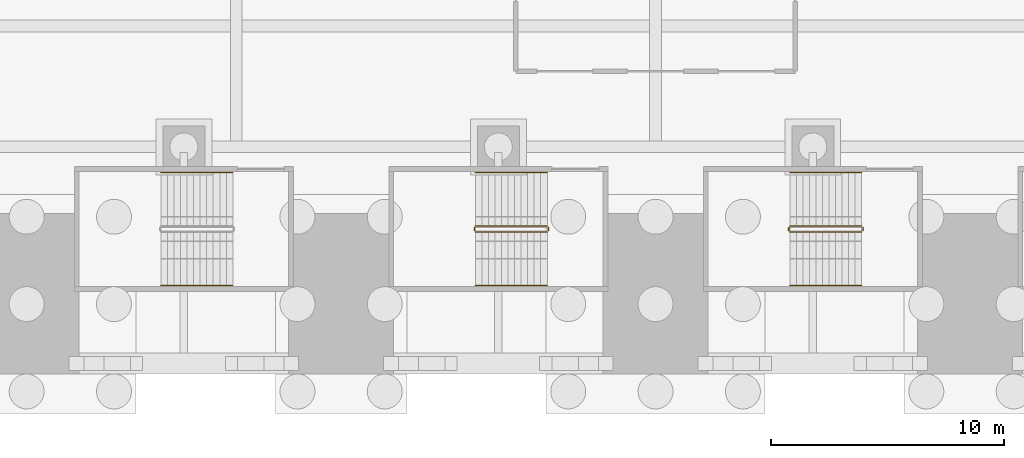
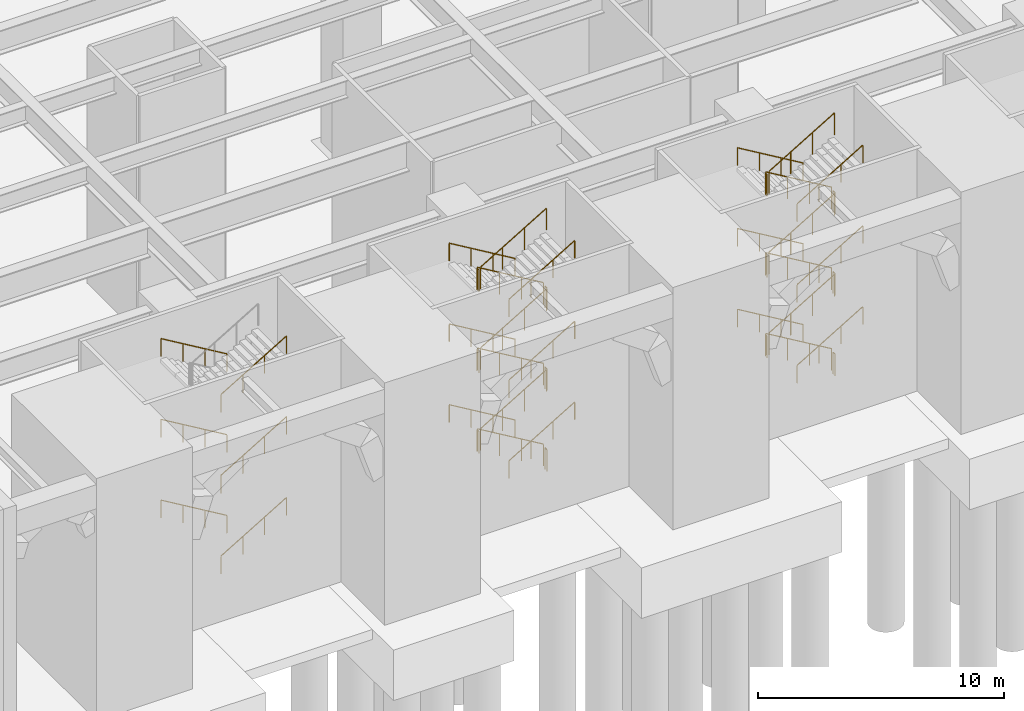
# One storey, part 28 of 34: 5 railings.
"""IFC4 building model written with IfcOpenShell, lengths in metres."""

from ifc_helpers import new_model, si_unit, direction, frame, origin, origin_2d, place, context, subcontext, project, spatial, circle, extrude, material, type_object, element, save


model = new_model("IFC4")

# Units and contexts
model_context = context("Model", 3, precision=1e-05, world=origin(), true_north=direction((0.0, 1.0)))
body_context = subcontext(model_context, "Body", "Model", "MODEL_VIEW")
ifc_project = project(units=[si_unit("LENGTHUNIT", "METRE"), si_unit("AREAUNIT", "SQUARE_METRE"), si_unit("VOLUMEUNIT", "CUBIC_METRE"), si_unit("PLANEANGLEUNIT", "RADIAN"), si_unit("MASSUNIT", "GRAM", prefix="KILO")], contexts=[model_context])

# Site, building, storey
site_placement = place(None, origin())
site = spatial("IfcSite", under=ifc_project, at=site_placement, CompositionType="ELEMENT")
building_placement = place(site_placement, origin())
building = spatial("IfcBuilding", under=site, at=building_placement, Name="Corbelhall Arena Tower", CompositionType="ELEMENT")
storey_placement = place(building_placement, origin())
storey = spatial("IfcBuildingStorey", under=building, at=storey_placement, Name="L00", CompositionType="ELEMENT", Elevation=0.0)

# Railings
ifc_material = material(Name="Stainless steel A4", Category="steel")
railing_type_1 = type_object("IfcRailingType", Name="AR-STAIR-GUARD", PredefinedType="GUARDRAIL", material=ifc_material)
railing_1_placement = place(storey_placement, frame((-4.64990234375, -32.64990234375, 0.166748046875)))
element("IfcRailing", 1, at=railing_1_placement, inside=storey, type_object=railing_type_1, Name="L00 AS14 stair guards", PredefinedType="GUARDRAIL", context=body_context, shape_type="SweptSolid", body=[
    extrude(circle(Radius=0.02392578125, at=origin_2d()), frame((0.0, 0.0, 1.076171875), z_axis=(-0.859308565015, 0.0, 0.511457515432), x_axis=(0.0, -1.0, 0.0)), (0.0, 0.0, 1.0), 3.58447265625),
    extrude(circle(Radius=0.02392578125, at=origin_2d()), frame((-3.130126953125, -0.050048828125, 2.9091796875), z_axis=(0.0, -1.0, 0.0), x_axis=(1.0, 0.0, 0.0)), (0.0, 0.0, 1.0), 0.150146484375),
    extrude(circle(Radius=0.02392578125, at=origin_2d()), frame((-3.080078125, -0.25, 3.076171875), z_axis=(0.859308565015, 0.0, 0.511457515432), x_axis=(0.0, 1.0, 0.0)), (0.0, 0.0, 1.0), 3.58447265625),
    extrude(circle(Radius=0.02392578125, at=origin_2d()), frame((0.0498046875, -0.050048828125, 4.9091796875), z_axis=(0.0, -1.0, 0.0), x_axis=(1.0, 0.0, 0.0)), (0.0, 0.0, 1.0), 0.150146484375),
    extrude(circle(Radius=0.02392578125, at=origin_2d()), frame((0.0, 0.0, 5.076171875), z_axis=(-0.859308565015, 0.0, 0.511457515432), x_axis=(0.0, -1.0, 0.0)), (0.0, 0.0, 1.0), 3.58447265625),
    extrude(circle(Radius=0.02392578125, at=origin_2d()), frame((-3.130126953125, -0.050048828125, 6.9091796875), z_axis=(0.0, -1.0, 0.0), x_axis=(1.0, 0.0, 0.0)), (0.0, 0.0, 1.0), 0.150146484375),
    extrude(circle(Radius=0.02392578125, at=origin_2d()), frame((-3.080078125, -0.25, 7.076171875), z_axis=(0.859308565015, 0.0, 0.511457515432), x_axis=(0.0, 1.0, 0.0)), (0.0, 0.0, 1.0), 3.58447265625),
    extrude(circle(Radius=0.02392578125, at=origin_2d()), frame((0.0498046875, -0.050048828125, 8.9091796875), z_axis=(0.0, -1.0, 0.0), x_axis=(1.0, 0.0, 0.0)), (0.0, 0.0, 1.0), 0.150146484375),
    extrude(circle(Radius=0.02392578125, at=origin_2d()), frame((0.0, 0.0, 9.076171875), z_axis=(-0.859308565015, 0.0, 0.511457515432), x_axis=(0.0, -1.0, 0.0)), (0.0, 0.0, 1.0), 3.58447265625),
    extrude(circle(Radius=0.02392578125, at=origin_2d()), frame((-3.130126953125, -0.050048828125, 10.9091796875), z_axis=(0.0, -1.0, 0.0), x_axis=(1.0, 0.0, 0.0)), (0.0, 0.0, 1.0), 0.150146484375),
    extrude(circle(Radius=0.02392578125, at=origin_2d()), frame((-3.080078125, -0.25, 11.076171875), z_axis=(0.859308565015, 0.0, 0.511457515432), x_axis=(0.0, 1.0, 0.0)), (0.0, 0.0, 1.0), 3.58447265625),
    extrude(circle(Radius=0.02392578125, at=origin_2d()), frame((0.0498046875, -0.050048828125, 0.9091796875), z_axis=(0.0, -1.0, 0.0), x_axis=(1.0, 0.0, 0.0)), (0.0, 0.0, 1.0), 0.150146484375),
    extrude(circle(Radius=0.02099609375, at=origin_2d()), origin(), (0.0, 0.0, 1.0), 1.052001953125),
    extrude(circle(Radius=0.02099609375, at=origin_2d()), frame((-1.026611328125, 0.0, 0.611083984375)), (0.0, 0.0, 1.0), 1.052001953125),
    extrude(circle(Radius=0.02099609375, at=origin_2d()), frame((-2.053466796875, 0.0, 1.22216796875)), (0.0, 0.0, 1.0), 1.052001953125),
    extrude(circle(Radius=0.02099609375, at=origin_2d()), frame((-3.080078125, 0.0, 1.833251953125)), (0.0, 0.0, 1.0), 1.052001953125),
    extrude(circle(Radius=0.02099609375, at=origin_2d()), frame((-3.130126953125, -0.050048828125, 1.833251953125)), (0.0, 0.0, 1.0), 1.052001953125),
    extrude(circle(Radius=0.02099609375, at=origin_2d()), frame((-3.130126953125, -0.2001953125, 1.833251953125)), (0.0, 0.0, 1.0), 1.052001953125),
    extrude(circle(Radius=0.02099609375, at=origin_2d()), frame((-3.080078125, -0.25, 2.0)), (0.0, 0.0, 1.0), 1.052001953125),
    extrude(circle(Radius=0.02099609375, at=origin_2d()), frame((-2.053466796875, -0.25, 2.611083984375)), (0.0, 0.0, 1.0), 1.052001953125),
    extrude(circle(Radius=0.02099609375, at=origin_2d()), frame((-1.026611328125, -0.25, 3.22216796875)), (0.0, 0.0, 1.0), 1.052001953125),
    extrude(circle(Radius=0.02099609375, at=origin_2d()), frame((0.0, -0.25, 3.833251953125)), (0.0, 0.0, 1.0), 1.052001953125),
    extrude(circle(Radius=0.02099609375, at=origin_2d()), frame((0.0498046875, -0.050048828125, 3.833251953125)), (0.0, 0.0, 1.0), 1.052001953125),
    extrude(circle(Radius=0.02099609375, at=origin_2d()), frame((0.0498046875, -0.2001953125, 3.833251953125)), (0.0, 0.0, 1.0), 1.052001953125),
    extrude(circle(Radius=0.02099609375, at=origin_2d()), frame((0.0, 0.0, 4.0)), (0.0, 0.0, 1.0), 1.052001953125),
    extrude(circle(Radius=0.02099609375, at=origin_2d()), frame((-1.026611328125, 0.0, 4.611083984375)), (0.0, 0.0, 1.0), 1.052001953125),
    extrude(circle(Radius=0.02099609375, at=origin_2d()), frame((-2.053466796875, 0.0, 5.22216796875)), (0.0, 0.0, 1.0), 1.052001953125),
    extrude(circle(Radius=0.02099609375, at=origin_2d()), frame((-3.080078125, 0.0, 5.833251953125)), (0.0, 0.0, 1.0), 1.052001953125),
    extrude(circle(Radius=0.02099609375, at=origin_2d()), frame((-3.130126953125, -0.050048828125, 5.833251953125)), (0.0, 0.0, 1.0), 1.052001953125),
    extrude(circle(Radius=0.02099609375, at=origin_2d()), frame((-3.130126953125, -0.2001953125, 5.833251953125)), (0.0, 0.0, 1.0), 1.052001953125),
    extrude(circle(Radius=0.02099609375, at=origin_2d()), frame((-3.080078125, -0.25, 6.0)), (0.0, 0.0, 1.0), 1.052001953125),
    extrude(circle(Radius=0.02099609375, at=origin_2d()), frame((-2.053466796875, -0.25, 6.611083984375)), (0.0, 0.0, 1.0), 1.052001953125),
    extrude(circle(Radius=0.02099609375, at=origin_2d()), frame((-1.026611328125, -0.25, 7.22216796875)), (0.0, 0.0, 1.0), 1.052001953125),
    extrude(circle(Radius=0.02099609375, at=origin_2d()), frame((0.0, -0.25, 7.833251953125)), (0.0, 0.0, 1.0), 1.052001953125),
    extrude(circle(Radius=0.02099609375, at=origin_2d()), frame((0.0498046875, -0.050048828125, 7.833251953125)), (0.0, 0.0, 1.0), 1.052001953125),
    extrude(circle(Radius=0.02099609375, at=origin_2d()), frame((0.0498046875, -0.2001953125, 7.833251953125)), (0.0, 0.0, 1.0), 1.052001953125),
    extrude(circle(Radius=0.02099609375, at=origin_2d()), frame((0.0, 0.0, 8.0)), (0.0, 0.0, 1.0), 1.052001953125),
    extrude(circle(Radius=0.02099609375, at=origin_2d()), frame((-1.026611328125, 0.0, 8.611083984375)), (0.0, 0.0, 1.0), 1.052001953125),
    extrude(circle(Radius=0.02099609375, at=origin_2d()), frame((-2.053466796875, 0.0, 9.22216796875)), (0.0, 0.0, 1.0), 1.052001953125),
    extrude(circle(Radius=0.02099609375, at=origin_2d()), frame((-3.080078125, 0.0, 9.833251953125)), (0.0, 0.0, 1.0), 1.052001953125),
    extrude(circle(Radius=0.02099609375, at=origin_2d()), frame((-3.130126953125, -0.050048828125, 9.833251953125)), (0.0, 0.0, 1.0), 1.052001953125),
    extrude(circle(Radius=0.02099609375, at=origin_2d()), frame((-3.130126953125, -0.2001953125, 9.833251953125)), (0.0, 0.0, 1.0), 1.052001953125),
    extrude(circle(Radius=0.02099609375, at=origin_2d()), frame((-3.080078125, -0.25, 10.0)), (0.0, 0.0, 1.0), 1.052001953125),
    extrude(circle(Radius=0.02099609375, at=origin_2d()), frame((-2.053466796875, -0.25, 10.611083984375)), (0.0, 0.0, 1.0), 1.052001953125),
    extrude(circle(Radius=0.02099609375, at=origin_2d()), frame((-1.026611328125, -0.25, 11.22216796875)), (0.0, 0.0, 1.0), 1.052001953125),
    extrude(circle(Radius=0.02099609375, at=origin_2d()), frame((0.0, -0.25, 11.833251953125)), (0.0, 0.0, 1.0), 1.052001953125),
    extrude(circle(Radius=0.02099609375, at=origin_2d()), frame((0.0498046875, -0.050048828125, -0.166748046875)), (0.0, 0.0, 1.0), 1.052001953125),
    extrude(circle(Radius=0.02099609375, at=origin_2d()), frame((0.0498046875, -0.2001953125, -0.166748046875)), (0.0, 0.0, 1.0), 1.052001953125),
])
railing_2_placement = place(storey_placement, frame((8.85009765625, -32.64990234375, 0.166748046875)))
element("IfcRailing", 2, at=railing_2_placement, inside=storey, type_object=railing_type_1, Name="L00 AS15 stair guards", PredefinedType="GUARDRAIL", context=body_context, shape_type="SweptSolid", body=[
    extrude(circle(Radius=0.02392578125, at=origin_2d()), frame((0.0, 0.0, 1.076171875), z_axis=(-0.859308565015, 0.0, 0.511457515432), x_axis=(0.0, -1.0, 0.0)), (0.0, 0.0, 1.0), 3.58447265625),
    extrude(circle(Radius=0.02392578125, at=origin_2d()), frame((-3.130126953125, -0.050048828125, 2.9091796875), z_axis=(0.0, -1.0, 0.0), x_axis=(1.0, 0.0, 0.0)), (0.0, 0.0, 1.0), 0.150146484375),
    extrude(circle(Radius=0.02392578125, at=origin_2d()), frame((-3.080078125, -0.25, 3.076171875), z_axis=(0.859308565015, 0.0, 0.511457515432), x_axis=(0.0, 1.0, 0.0)), (0.0, 0.0, 1.0), 3.58447265625),
    extrude(circle(Radius=0.02392578125, at=origin_2d()), frame((0.0498046875, -0.050048828125, 4.9091796875), z_axis=(0.0, -1.0, 0.0), x_axis=(1.0, 0.0, 0.0)), (0.0, 0.0, 1.0), 0.150146484375),
    extrude(circle(Radius=0.02392578125, at=origin_2d()), frame((0.0, 0.0, 5.076171875), z_axis=(-0.859308565015, 0.0, 0.511457515432), x_axis=(0.0, -1.0, 0.0)), (0.0, 0.0, 1.0), 3.58447265625),
    extrude(circle(Radius=0.02392578125, at=origin_2d()), frame((-3.130126953125, -0.050048828125, 6.9091796875), z_axis=(0.0, -1.0, 0.0), x_axis=(1.0, 0.0, 0.0)), (0.0, 0.0, 1.0), 0.150146484375),
    extrude(circle(Radius=0.02392578125, at=origin_2d()), frame((-3.080078125, -0.25, 7.076171875), z_axis=(0.859308565015, 0.0, 0.511457515432), x_axis=(0.0, 1.0, 0.0)), (0.0, 0.0, 1.0), 3.58447265625),
    extrude(circle(Radius=0.02392578125, at=origin_2d()), frame((0.0498046875, -0.050048828125, 8.9091796875), z_axis=(0.0, -1.0, 0.0), x_axis=(1.0, 0.0, 0.0)), (0.0, 0.0, 1.0), 0.150146484375),
    extrude(circle(Radius=0.02392578125, at=origin_2d()), frame((0.0, 0.0, 9.076171875), z_axis=(-0.859308565015, 0.0, 0.511457515432), x_axis=(0.0, -1.0, 0.0)), (0.0, 0.0, 1.0), 3.58447265625),
    extrude(circle(Radius=0.02392578125, at=origin_2d()), frame((-3.130126953125, -0.050048828125, 10.9091796875), z_axis=(0.0, -1.0, 0.0), x_axis=(1.0, 0.0, 0.0)), (0.0, 0.0, 1.0), 0.150146484375),
    extrude(circle(Radius=0.02392578125, at=origin_2d()), frame((-3.080078125, -0.25, 11.076171875), z_axis=(0.859308565015, 0.0, 0.511457515432), x_axis=(0.0, 1.0, 0.0)), (0.0, 0.0, 1.0), 3.58447265625),
    extrude(circle(Radius=0.02392578125, at=origin_2d()), frame((0.0498046875, -0.050048828125, 0.9091796875), z_axis=(0.0, -1.0, 0.0), x_axis=(1.0, 0.0, 0.0)), (0.0, 0.0, 1.0), 0.150146484375),
    extrude(circle(Radius=0.02099609375, at=origin_2d()), origin(), (0.0, 0.0, 1.0), 1.052001953125),
    extrude(circle(Radius=0.02099609375, at=origin_2d()), frame((-1.026611328125, 0.0, 0.611083984375)), (0.0, 0.0, 1.0), 1.052001953125),
    extrude(circle(Radius=0.02099609375, at=origin_2d()), frame((-2.053466796875, 0.0, 1.22216796875)), (0.0, 0.0, 1.0), 1.052001953125),
    extrude(circle(Radius=0.02099609375, at=origin_2d()), frame((-3.080078125, 0.0, 1.833251953125)), (0.0, 0.0, 1.0), 1.052001953125),
    extrude(circle(Radius=0.02099609375, at=origin_2d()), frame((-3.130126953125, -0.050048828125, 1.833251953125)), (0.0, 0.0, 1.0), 1.052001953125),
    extrude(circle(Radius=0.02099609375, at=origin_2d()), frame((-3.130126953125, -0.2001953125, 1.833251953125)), (0.0, 0.0, 1.0), 1.052001953125),
    extrude(circle(Radius=0.02099609375, at=origin_2d()), frame((-3.080078125, -0.25, 2.0)), (0.0, 0.0, 1.0), 1.052001953125),
    extrude(circle(Radius=0.02099609375, at=origin_2d()), frame((-2.053466796875, -0.25, 2.611083984375)), (0.0, 0.0, 1.0), 1.052001953125),
    extrude(circle(Radius=0.02099609375, at=origin_2d()), frame((-1.026611328125, -0.25, 3.22216796875)), (0.0, 0.0, 1.0), 1.052001953125),
    extrude(circle(Radius=0.02099609375, at=origin_2d()), frame((0.0, -0.25, 3.833251953125)), (0.0, 0.0, 1.0), 1.052001953125),
    extrude(circle(Radius=0.02099609375, at=origin_2d()), frame((0.0498046875, -0.050048828125, 3.833251953125)), (0.0, 0.0, 1.0), 1.052001953125),
    extrude(circle(Radius=0.02099609375, at=origin_2d()), frame((0.0498046875, -0.2001953125, 3.833251953125)), (0.0, 0.0, 1.0), 1.052001953125),
    extrude(circle(Radius=0.02099609375, at=origin_2d()), frame((0.0, 0.0, 4.0)), (0.0, 0.0, 1.0), 1.052001953125),
    extrude(circle(Radius=0.02099609375, at=origin_2d()), frame((-1.026611328125, 0.0, 4.611083984375)), (0.0, 0.0, 1.0), 1.052001953125),
    extrude(circle(Radius=0.02099609375, at=origin_2d()), frame((-2.053466796875, 0.0, 5.22216796875)), (0.0, 0.0, 1.0), 1.052001953125),
    extrude(circle(Radius=0.02099609375, at=origin_2d()), frame((-3.080078125, 0.0, 5.833251953125)), (0.0, 0.0, 1.0), 1.052001953125),
    extrude(circle(Radius=0.02099609375, at=origin_2d()), frame((-3.130126953125, -0.050048828125, 5.833251953125)), (0.0, 0.0, 1.0), 1.052001953125),
    extrude(circle(Radius=0.02099609375, at=origin_2d()), frame((-3.130126953125, -0.2001953125, 5.833251953125)), (0.0, 0.0, 1.0), 1.052001953125),
    extrude(circle(Radius=0.02099609375, at=origin_2d()), frame((-3.080078125, -0.25, 6.0)), (0.0, 0.0, 1.0), 1.052001953125),
    extrude(circle(Radius=0.02099609375, at=origin_2d()), frame((-2.053466796875, -0.25, 6.611083984375)), (0.0, 0.0, 1.0), 1.052001953125),
    extrude(circle(Radius=0.02099609375, at=origin_2d()), frame((-1.026611328125, -0.25, 7.22216796875)), (0.0, 0.0, 1.0), 1.052001953125),
    extrude(circle(Radius=0.02099609375, at=origin_2d()), frame((0.0, -0.25, 7.833251953125)), (0.0, 0.0, 1.0), 1.052001953125),
    extrude(circle(Radius=0.02099609375, at=origin_2d()), frame((0.0498046875, -0.050048828125, 7.833251953125)), (0.0, 0.0, 1.0), 1.052001953125),
    extrude(circle(Radius=0.02099609375, at=origin_2d()), frame((0.0498046875, -0.2001953125, 7.833251953125)), (0.0, 0.0, 1.0), 1.052001953125),
    extrude(circle(Radius=0.02099609375, at=origin_2d()), frame((0.0, 0.0, 8.0)), (0.0, 0.0, 1.0), 1.052001953125),
    extrude(circle(Radius=0.02099609375, at=origin_2d()), frame((-1.026611328125, 0.0, 8.611083984375)), (0.0, 0.0, 1.0), 1.052001953125),
    extrude(circle(Radius=0.02099609375, at=origin_2d()), frame((-2.053466796875, 0.0, 9.22216796875)), (0.0, 0.0, 1.0), 1.052001953125),
    extrude(circle(Radius=0.02099609375, at=origin_2d()), frame((-3.080078125, 0.0, 9.833251953125)), (0.0, 0.0, 1.0), 1.052001953125),
    extrude(circle(Radius=0.02099609375, at=origin_2d()), frame((-3.130126953125, -0.050048828125, 9.833251953125)), (0.0, 0.0, 1.0), 1.052001953125),
    extrude(circle(Radius=0.02099609375, at=origin_2d()), frame((-3.130126953125, -0.2001953125, 9.833251953125)), (0.0, 0.0, 1.0), 1.052001953125),
    extrude(circle(Radius=0.02099609375, at=origin_2d()), frame((-3.080078125, -0.25, 10.0)), (0.0, 0.0, 1.0), 1.052001953125),
    extrude(circle(Radius=0.02099609375, at=origin_2d()), frame((-2.053466796875, -0.25, 10.611083984375)), (0.0, 0.0, 1.0), 1.052001953125),
    extrude(circle(Radius=0.02099609375, at=origin_2d()), frame((-1.026611328125, -0.25, 11.22216796875)), (0.0, 0.0, 1.0), 1.052001953125),
    extrude(circle(Radius=0.02099609375, at=origin_2d()), frame((0.0, -0.25, 11.833251953125)), (0.0, 0.0, 1.0), 1.052001953125),
    extrude(circle(Radius=0.02099609375, at=origin_2d()), frame((0.0498046875, -0.050048828125, -0.166748046875)), (0.0, 0.0, 1.0), 1.052001953125),
    extrude(circle(Radius=0.02099609375, at=origin_2d()), frame((0.0498046875, -0.2001953125, -0.166748046875)), (0.0, 0.0, 1.0), 1.052001953125),
])
railing_type_2 = type_object("IfcRailingType", Name="AR-STAIR-HANDRAIL", PredefinedType="HANDRAIL", material=ifc_material)
railing_3_placement = place(storey_placement, frame((-18.14990234375, -30.35009765625, 0.166748046875)))
element("IfcRailing", 3, at=railing_3_placement, inside=storey, type_object=railing_type_2, Name="L00 AS13 stair handrails", PredefinedType="HANDRAIL", context=body_context, shape_type="SweptSolid", body=[
    extrude(circle(Radius=0.02392578125, at=origin_2d()), frame((0.0, 0.0, 0.8759765625), z_axis=(-0.859308565015, 0.0, 0.511457515432), x_axis=(0.0, -1.0, 0.0)), (0.0, 0.0, 1.0), 3.58447265625),
    extrude(circle(Radius=0.02392578125, at=origin_2d()), frame((-3.080078125, -4.849853515625, 2.8759765625), z_axis=(0.859308565015, 0.0, 0.511457515432), x_axis=(0.0, 1.0, 0.0)), (0.0, 0.0, 1.0), 3.58447265625),
    extrude(circle(Radius=0.02392578125, at=origin_2d()), frame((0.0, 0.0, 4.8759765625), z_axis=(-0.859308565015, 0.0, 0.511457515432), x_axis=(0.0, -1.0, 0.0)), (0.0, 0.0, 1.0), 3.58447265625),
    extrude(circle(Radius=0.02392578125, at=origin_2d()), frame((-3.080078125, -4.849853515625, 6.8759765625), z_axis=(0.859308565015, 0.0, 0.511457515432), x_axis=(0.0, 1.0, 0.0)), (0.0, 0.0, 1.0), 3.58447265625),
    extrude(circle(Radius=0.02392578125, at=origin_2d()), frame((0.0, 0.0, 8.8759765625), z_axis=(-0.859308565015, 0.0, 0.511457515432), x_axis=(0.0, -1.0, 0.0)), (0.0, 0.0, 1.0), 3.58447265625),
    extrude(circle(Radius=0.02392578125, at=origin_2d()), frame((-3.080078125, -4.849853515625, 10.8759765625), z_axis=(0.859308565015, 0.0, 0.511457515432), x_axis=(0.0, 1.0, 0.0)), (0.0, 0.0, 1.0), 3.58447265625),
    extrude(circle(Radius=0.02099609375, at=origin_2d()), origin(), (0.0, 0.0, 1.0), 0.851806640625),
    extrude(circle(Radius=0.02099609375, at=origin_2d()), frame((-1.026611328125, 0.0, 0.611083984375)), (0.0, 0.0, 1.0), 0.851806640625),
    extrude(circle(Radius=0.02099609375, at=origin_2d()), frame((-2.053466796875, 0.0, 1.22216796875)), (0.0, 0.0, 1.0), 0.851806640625),
    extrude(circle(Radius=0.02099609375, at=origin_2d()), frame((-3.080078125, 0.0, 1.833251953125)), (0.0, 0.0, 1.0), 0.851806640625),
    extrude(circle(Radius=0.02099609375, at=origin_2d()), frame((-3.080078125, -4.849853515625, 2.0)), (0.0, 0.0, 1.0), 0.851806640625),
    extrude(circle(Radius=0.02099609375, at=origin_2d()), frame((-2.053466796875, -4.849853515625, 2.611083984375)), (0.0, 0.0, 1.0), 0.851806640625),
    extrude(circle(Radius=0.02099609375, at=origin_2d()), frame((-1.026611328125, -4.849853515625, 3.22216796875)), (0.0, 0.0, 1.0), 0.851806640625),
    extrude(circle(Radius=0.02099609375, at=origin_2d()), frame((0.0, -4.849853515625, 3.833251953125)), (0.0, 0.0, 1.0), 0.851806640625),
    extrude(circle(Radius=0.02099609375, at=origin_2d()), frame((0.0, 0.0, 4.0)), (0.0, 0.0, 1.0), 0.851806640625),
    extrude(circle(Radius=0.02099609375, at=origin_2d()), frame((-1.026611328125, 0.0, 4.611083984375)), (0.0, 0.0, 1.0), 0.851806640625),
    extrude(circle(Radius=0.02099609375, at=origin_2d()), frame((-2.053466796875, 0.0, 5.22216796875)), (0.0, 0.0, 1.0), 0.851806640625),
    extrude(circle(Radius=0.02099609375, at=origin_2d()), frame((-3.080078125, 0.0, 5.833251953125)), (0.0, 0.0, 1.0), 0.851806640625),
    extrude(circle(Radius=0.02099609375, at=origin_2d()), frame((-3.080078125, -4.849853515625, 6.0)), (0.0, 0.0, 1.0), 0.851806640625),
    extrude(circle(Radius=0.02099609375, at=origin_2d()), frame((-2.053466796875, -4.849853515625, 6.611083984375)), (0.0, 0.0, 1.0), 0.851806640625),
    extrude(circle(Radius=0.02099609375, at=origin_2d()), frame((-1.026611328125, -4.849853515625, 7.22216796875)), (0.0, 0.0, 1.0), 0.851806640625),
    extrude(circle(Radius=0.02099609375, at=origin_2d()), frame((0.0, -4.849853515625, 7.833251953125)), (0.0, 0.0, 1.0), 0.851806640625),
    extrude(circle(Radius=0.02099609375, at=origin_2d()), frame((0.0, 0.0, 8.0)), (0.0, 0.0, 1.0), 0.851806640625),
    extrude(circle(Radius=0.02099609375, at=origin_2d()), frame((-1.026611328125, 0.0, 8.611083984375)), (0.0, 0.0, 1.0), 0.851806640625),
    extrude(circle(Radius=0.02099609375, at=origin_2d()), frame((-2.053466796875, 0.0, 9.22216796875)), (0.0, 0.0, 1.0), 0.851806640625),
    extrude(circle(Radius=0.02099609375, at=origin_2d()), frame((-3.080078125, 0.0, 9.833251953125)), (0.0, 0.0, 1.0), 0.851806640625),
    extrude(circle(Radius=0.02099609375, at=origin_2d()), frame((-3.080078125, -4.849853515625, 10.0)), (0.0, 0.0, 1.0), 0.851806640625),
    extrude(circle(Radius=0.02099609375, at=origin_2d()), frame((-2.053466796875, -4.849853515625, 10.611083984375)), (0.0, 0.0, 1.0), 0.851806640625),
    extrude(circle(Radius=0.02099609375, at=origin_2d()), frame((-1.026611328125, -4.849853515625, 11.22216796875)), (0.0, 0.0, 1.0), 0.851806640625),
    extrude(circle(Radius=0.02099609375, at=origin_2d()), frame((0.0, -4.849853515625, 11.833251953125)), (0.0, 0.0, 1.0), 0.851806640625),
])
railing_4_placement = place(storey_placement, frame((-4.64990234375, -30.35009765625, 0.166748046875)))
element("IfcRailing", 4, at=railing_4_placement, inside=storey, type_object=railing_type_2, Name="L00 AS14 stair handrails", PredefinedType="HANDRAIL", context=body_context, shape_type="SweptSolid", body=[
    extrude(circle(Radius=0.02392578125, at=origin_2d()), frame((0.0, 0.0, 0.8759765625), z_axis=(-0.859308565015, 0.0, 0.511457515432), x_axis=(0.0, -1.0, 0.0)), (0.0, 0.0, 1.0), 3.58447265625),
    extrude(circle(Radius=0.02392578125, at=origin_2d()), frame((-3.080078125, -4.849853515625, 2.8759765625), z_axis=(0.859308565015, 0.0, 0.511457515432), x_axis=(0.0, 1.0, 0.0)), (0.0, 0.0, 1.0), 3.58447265625),
    extrude(circle(Radius=0.02392578125, at=origin_2d()), frame((0.0, 0.0, 4.8759765625), z_axis=(-0.859308565015, 0.0, 0.511457515432), x_axis=(0.0, -1.0, 0.0)), (0.0, 0.0, 1.0), 3.58447265625),
    extrude(circle(Radius=0.02392578125, at=origin_2d()), frame((-3.080078125, -4.849853515625, 6.8759765625), z_axis=(0.859308565015, 0.0, 0.511457515432), x_axis=(0.0, 1.0, 0.0)), (0.0, 0.0, 1.0), 3.58447265625),
    extrude(circle(Radius=0.02392578125, at=origin_2d()), frame((0.0, 0.0, 8.8759765625), z_axis=(-0.859308565015, 0.0, 0.511457515432), x_axis=(0.0, -1.0, 0.0)), (0.0, 0.0, 1.0), 3.58447265625),
    extrude(circle(Radius=0.02392578125, at=origin_2d()), frame((-3.080078125, -4.849853515625, 10.8759765625), z_axis=(0.859308565015, 0.0, 0.511457515432), x_axis=(0.0, 1.0, 0.0)), (0.0, 0.0, 1.0), 3.58447265625),
    extrude(circle(Radius=0.02099609375, at=origin_2d()), origin(), (0.0, 0.0, 1.0), 0.851806640625),
    extrude(circle(Radius=0.02099609375, at=origin_2d()), frame((-1.026611328125, 0.0, 0.611083984375)), (0.0, 0.0, 1.0), 0.851806640625),
    extrude(circle(Radius=0.02099609375, at=origin_2d()), frame((-2.053466796875, 0.0, 1.22216796875)), (0.0, 0.0, 1.0), 0.851806640625),
    extrude(circle(Radius=0.02099609375, at=origin_2d()), frame((-3.080078125, 0.0, 1.833251953125)), (0.0, 0.0, 1.0), 0.851806640625),
    extrude(circle(Radius=0.02099609375, at=origin_2d()), frame((-3.080078125, -4.849853515625, 2.0)), (0.0, 0.0, 1.0), 0.851806640625),
    extrude(circle(Radius=0.02099609375, at=origin_2d()), frame((-2.053466796875, -4.849853515625, 2.611083984375)), (0.0, 0.0, 1.0), 0.851806640625),
    extrude(circle(Radius=0.02099609375, at=origin_2d()), frame((-1.026611328125, -4.849853515625, 3.22216796875)), (0.0, 0.0, 1.0), 0.851806640625),
    extrude(circle(Radius=0.02099609375, at=origin_2d()), frame((0.0, -4.849853515625, 3.833251953125)), (0.0, 0.0, 1.0), 0.851806640625),
    extrude(circle(Radius=0.02099609375, at=origin_2d()), frame((0.0, 0.0, 4.0)), (0.0, 0.0, 1.0), 0.851806640625),
    extrude(circle(Radius=0.02099609375, at=origin_2d()), frame((-1.026611328125, 0.0, 4.611083984375)), (0.0, 0.0, 1.0), 0.851806640625),
    extrude(circle(Radius=0.02099609375, at=origin_2d()), frame((-2.053466796875, 0.0, 5.22216796875)), (0.0, 0.0, 1.0), 0.851806640625),
    extrude(circle(Radius=0.02099609375, at=origin_2d()), frame((-3.080078125, 0.0, 5.833251953125)), (0.0, 0.0, 1.0), 0.851806640625),
    extrude(circle(Radius=0.02099609375, at=origin_2d()), frame((-3.080078125, -4.849853515625, 6.0)), (0.0, 0.0, 1.0), 0.851806640625),
    extrude(circle(Radius=0.02099609375, at=origin_2d()), frame((-2.053466796875, -4.849853515625, 6.611083984375)), (0.0, 0.0, 1.0), 0.851806640625),
    extrude(circle(Radius=0.02099609375, at=origin_2d()), frame((-1.026611328125, -4.849853515625, 7.22216796875)), (0.0, 0.0, 1.0), 0.851806640625),
    extrude(circle(Radius=0.02099609375, at=origin_2d()), frame((0.0, -4.849853515625, 7.833251953125)), (0.0, 0.0, 1.0), 0.851806640625),
    extrude(circle(Radius=0.02099609375, at=origin_2d()), frame((0.0, 0.0, 8.0)), (0.0, 0.0, 1.0), 0.851806640625),
    extrude(circle(Radius=0.02099609375, at=origin_2d()), frame((-1.026611328125, 0.0, 8.611083984375)), (0.0, 0.0, 1.0), 0.851806640625),
    extrude(circle(Radius=0.02099609375, at=origin_2d()), frame((-2.053466796875, 0.0, 9.22216796875)), (0.0, 0.0, 1.0), 0.851806640625),
    extrude(circle(Radius=0.02099609375, at=origin_2d()), frame((-3.080078125, 0.0, 9.833251953125)), (0.0, 0.0, 1.0), 0.851806640625),
    extrude(circle(Radius=0.02099609375, at=origin_2d()), frame((-3.080078125, -4.849853515625, 10.0)), (0.0, 0.0, 1.0), 0.851806640625),
    extrude(circle(Radius=0.02099609375, at=origin_2d()), frame((-2.053466796875, -4.849853515625, 10.611083984375)), (0.0, 0.0, 1.0), 0.851806640625),
    extrude(circle(Radius=0.02099609375, at=origin_2d()), frame((-1.026611328125, -4.849853515625, 11.22216796875)), (0.0, 0.0, 1.0), 0.851806640625),
    extrude(circle(Radius=0.02099609375, at=origin_2d()), frame((0.0, -4.849853515625, 11.833251953125)), (0.0, 0.0, 1.0), 0.851806640625),
])
railing_5_placement = place(storey_placement, frame((8.85009765625, -30.35009765625, 0.166748046875)))
element("IfcRailing", 5, at=railing_5_placement, inside=storey, type_object=railing_type_2, Name="L00 AS15 stair handrails", PredefinedType="HANDRAIL", context=body_context, shape_type="SweptSolid", body=[
    extrude(circle(Radius=0.02392578125, at=origin_2d()), frame((0.0, 0.0, 0.8759765625), z_axis=(-0.859308565015, 0.0, 0.511457515432), x_axis=(0.0, -1.0, 0.0)), (0.0, 0.0, 1.0), 3.58447265625),
    extrude(circle(Radius=0.02392578125, at=origin_2d()), frame((-3.080078125, -4.849853515625, 2.8759765625), z_axis=(0.859308565015, 0.0, 0.511457515432), x_axis=(0.0, 1.0, 0.0)), (0.0, 0.0, 1.0), 3.58447265625),
    extrude(circle(Radius=0.02392578125, at=origin_2d()), frame((0.0, 0.0, 4.8759765625), z_axis=(-0.859308565015, 0.0, 0.511457515432), x_axis=(0.0, -1.0, 0.0)), (0.0, 0.0, 1.0), 3.58447265625),
    extrude(circle(Radius=0.02392578125, at=origin_2d()), frame((-3.080078125, -4.849853515625, 6.8759765625), z_axis=(0.859308565015, 0.0, 0.511457515432), x_axis=(0.0, 1.0, 0.0)), (0.0, 0.0, 1.0), 3.58447265625),
    extrude(circle(Radius=0.02392578125, at=origin_2d()), frame((0.0, 0.0, 8.8759765625), z_axis=(-0.859308565015, 0.0, 0.511457515432), x_axis=(0.0, -1.0, 0.0)), (0.0, 0.0, 1.0), 3.58447265625),
    extrude(circle(Radius=0.02392578125, at=origin_2d()), frame((-3.080078125, -4.849853515625, 10.8759765625), z_axis=(0.859308565015, 0.0, 0.511457515432), x_axis=(0.0, 1.0, 0.0)), (0.0, 0.0, 1.0), 3.58447265625),
    extrude(circle(Radius=0.02099609375, at=origin_2d()), origin(), (0.0, 0.0, 1.0), 0.851806640625),
    extrude(circle(Radius=0.02099609375, at=origin_2d()), frame((-1.026611328125, 0.0, 0.611083984375)), (0.0, 0.0, 1.0), 0.851806640625),
    extrude(circle(Radius=0.02099609375, at=origin_2d()), frame((-2.053466796875, 0.0, 1.22216796875)), (0.0, 0.0, 1.0), 0.851806640625),
    extrude(circle(Radius=0.02099609375, at=origin_2d()), frame((-3.080078125, 0.0, 1.833251953125)), (0.0, 0.0, 1.0), 0.851806640625),
    extrude(circle(Radius=0.02099609375, at=origin_2d()), frame((-3.080078125, -4.849853515625, 2.0)), (0.0, 0.0, 1.0), 0.851806640625),
    extrude(circle(Radius=0.02099609375, at=origin_2d()), frame((-2.053466796875, -4.849853515625, 2.611083984375)), (0.0, 0.0, 1.0), 0.851806640625),
    extrude(circle(Radius=0.02099609375, at=origin_2d()), frame((-1.026611328125, -4.849853515625, 3.22216796875)), (0.0, 0.0, 1.0), 0.851806640625),
    extrude(circle(Radius=0.02099609375, at=origin_2d()), frame((0.0, -4.849853515625, 3.833251953125)), (0.0, 0.0, 1.0), 0.851806640625),
    extrude(circle(Radius=0.02099609375, at=origin_2d()), frame((0.0, 0.0, 4.0)), (0.0, 0.0, 1.0), 0.851806640625),
    extrude(circle(Radius=0.02099609375, at=origin_2d()), frame((-1.026611328125, 0.0, 4.611083984375)), (0.0, 0.0, 1.0), 0.851806640625),
    extrude(circle(Radius=0.02099609375, at=origin_2d()), frame((-2.053466796875, 0.0, 5.22216796875)), (0.0, 0.0, 1.0), 0.851806640625),
    extrude(circle(Radius=0.02099609375, at=origin_2d()), frame((-3.080078125, 0.0, 5.833251953125)), (0.0, 0.0, 1.0), 0.851806640625),
    extrude(circle(Radius=0.02099609375, at=origin_2d()), frame((-3.080078125, -4.849853515625, 6.0)), (0.0, 0.0, 1.0), 0.851806640625),
    extrude(circle(Radius=0.02099609375, at=origin_2d()), frame((-2.053466796875, -4.849853515625, 6.611083984375)), (0.0, 0.0, 1.0), 0.851806640625),
    extrude(circle(Radius=0.02099609375, at=origin_2d()), frame((-1.026611328125, -4.849853515625, 7.22216796875)), (0.0, 0.0, 1.0), 0.851806640625),
    extrude(circle(Radius=0.02099609375, at=origin_2d()), frame((0.0, -4.849853515625, 7.833251953125)), (0.0, 0.0, 1.0), 0.851806640625),
    extrude(circle(Radius=0.02099609375, at=origin_2d()), frame((0.0, 0.0, 8.0)), (0.0, 0.0, 1.0), 0.851806640625),
    extrude(circle(Radius=0.02099609375, at=origin_2d()), frame((-1.026611328125, 0.0, 8.611083984375)), (0.0, 0.0, 1.0), 0.851806640625),
    extrude(circle(Radius=0.02099609375, at=origin_2d()), frame((-2.053466796875, 0.0, 9.22216796875)), (0.0, 0.0, 1.0), 0.851806640625),
    extrude(circle(Radius=0.02099609375, at=origin_2d()), frame((-3.080078125, 0.0, 9.833251953125)), (0.0, 0.0, 1.0), 0.851806640625),
    extrude(circle(Radius=0.02099609375, at=origin_2d()), frame((-3.080078125, -4.849853515625, 10.0)), (0.0, 0.0, 1.0), 0.851806640625),
    extrude(circle(Radius=0.02099609375, at=origin_2d()), frame((-2.053466796875, -4.849853515625, 10.611083984375)), (0.0, 0.0, 1.0), 0.851806640625),
    extrude(circle(Radius=0.02099609375, at=origin_2d()), frame((-1.026611328125, -4.849853515625, 11.22216796875)), (0.0, 0.0, 1.0), 0.851806640625),
    extrude(circle(Radius=0.02099609375, at=origin_2d()), frame((0.0, -4.849853515625, 11.833251953125)), (0.0, 0.0, 1.0), 0.851806640625),
])

save(model, "model.ifc")
